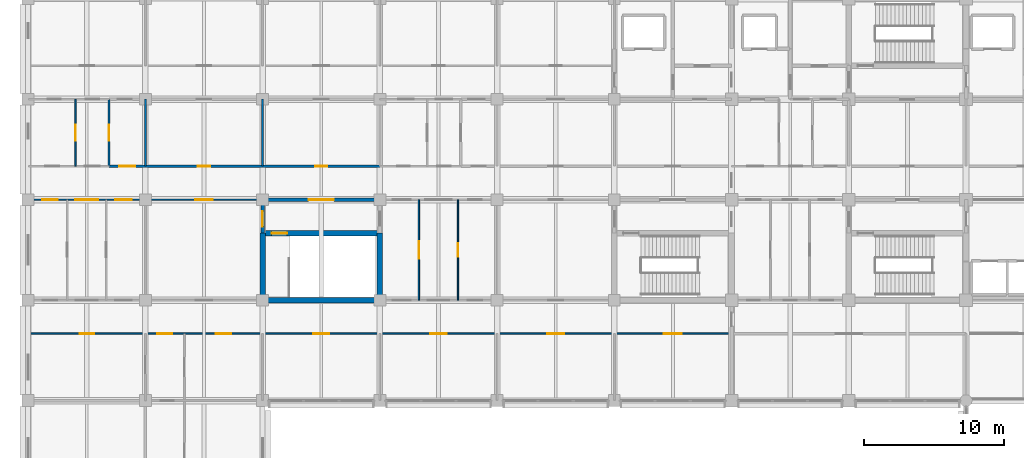
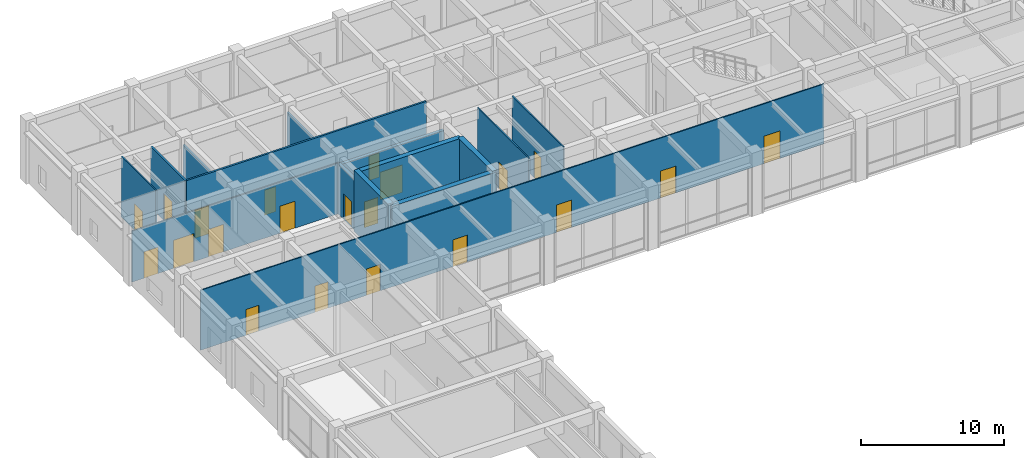
# One storey, part 33 of 58: 21 doors, 15 walls, 21 openings.
"""IFC4 building model written with IfcOpenShell, lengths in metres."""

from ifc_helpers import new_model, si_unit, direction, frame, frame_2d, origin, place, context, subcontext, project, spatial, rectangle, extrude, material, layer, layer_set, type_object, element, fill, save


model = new_model("IFC4")

# Units and contexts
model_context = context("Model", 3, precision=1e-05, world=origin(), true_north=direction((0.0, 1.0)))
body_context = subcontext(model_context, "Body", "Model", "MODEL_VIEW")
ifc_project = project(units=[si_unit("LENGTHUNIT", "METRE"), si_unit("AREAUNIT", "SQUARE_METRE"), si_unit("VOLUMEUNIT", "CUBIC_METRE"), si_unit("PLANEANGLEUNIT", "RADIAN"), si_unit("MASSUNIT", "GRAM", prefix="KILO")], contexts=[model_context])

# Site, building, storey
site_placement = place(None, origin())
site = spatial("IfcSite", under=ifc_project, at=site_placement, CompositionType="ELEMENT")
building_placement = place(site_placement, origin())
building = spatial("IfcBuilding", under=site, at=building_placement, Name="Chengyuan Square Courthouse", CompositionType="ELEMENT")
storey_placement = place(building_placement, frame((0.0, 0.0, 16.199951171875)))
storey = spatial("IfcBuildingStorey", under=building, at=storey_placement, Name="L04", CompositionType="ELEMENT", Elevation=16.199951171875)

# Wall, opening, door
ifc_material_1 = material(Name="Concrete C40", Category="concrete")
ifc_layer_1 = layer(ifc_material_1, 0.25)
ifc_layer_set_1 = layer_set([ifc_layer_1], Name="Concrete C40")
wall_type_1 = type_object("IfcWallType", Name="WL-FW1", PredefinedType="STANDARD", material=ifc_layer_set_1)
wall_1_placement = place(storey_placement, frame((16.800048828125, 93.60009765625, 0.0), z_axis=(0.0, 0.0, 1.0), x_axis=(1.0, 0.0, 0.0)))
wall_1 = element("IfcWall", 1, at=wall_1_placement, inside=storey, type_object=wall_type_1, Name="Interior Wall WL-L04-I1810", PredefinedType="STANDARD", context=body_context, shape_type="SweptSolid", body=[
    extrude(rectangle(XDim=8.39990234375, YDim=0.25, at=frame_2d((4.199951171875, 0.0))), origin(), (0.0, 0.0, 1.0), 4.199951171875),
])
opening_1_placement = place(wall_1_placement, frame((3.300048828125, 0.0, 0.0)))
opening_1 = element("IfcOpeningElement", 2, at=opening_1_placement, cuts=wall_1, Name="Opening DR-1657", PredefinedType="OPENING", context=body_context, shape_type="SweptSolid", body=[
    extrude(rectangle(XDim=1.800048828125, YDim=2.35009765625, at=frame_2d((0.89990234375, 1.175048828125))), frame((0.0, 0.136962890625, 0.0), z_axis=(0.0, -1.0, 0.0), x_axis=(1.0, 0.0, 0.0)), (0.0, 0.0, 1.0), 0.27392578125),
])
ifc_material_2 = material(Name="Steel Q235B Glazed Fire Door", Category="steel")
door_type_1 = type_object("IfcDoorType", Name="DT-18", OperationType="DOUBLE_DOOR_SINGLE_SWING", PredefinedType="DOOR", material=ifc_material_2)
door_1_placement = place(opening_1_placement, frame((1.800048828125, 0.0, 0.0), z_axis=(0.0, 0.0, 1.0), x_axis=(-1.0, 0.0, 0.0)))
door_1 = element("IfcDoor", 3, at=door_1_placement, inside=storey, type_object=door_type_1, Name="Interior Door DR-1657", OperationType="DOUBLE_DOOR_SINGLE_SWING", OverallHeight=2.35009765625, OverallWidth=1.800048828125, PredefinedType="DOOR", context=body_context, shape_type="SweptSolid", body=[
    extrude(rectangle(XDim=1.800048828125, YDim=2.35009765625, at=frame_2d((0.89990234375, 1.175048828125))), frame((0.0, 0.02490234375, 0.0), z_axis=(0.0, -1.0, 0.0), x_axis=(1.0, 0.0, 0.0)), (0.0, 0.0, 1.0), 0.050048828125),
])
fill(opening_1, door_1)

wall_2_placement = place(storey_placement, frame((16.800048828125, 91.199951171875, 0.0), z_axis=(0.0, 0.0, 1.0), x_axis=(0.0, 1.0, 0.0)))
wall_2 = element("IfcWall", 4, at=wall_2_placement, inside=storey, type_object=wall_type_1, Name="Interior Wall WL-L04-I1929", PredefinedType="STANDARD", context=body_context, shape_type="SweptSolid", body=[
    extrude(rectangle(XDim=2.400146484375, YDim=0.25, at=frame_2d((1.2001953125, 0.0))), origin(), (0.0, 0.0, 1.0), 4.300048828125),
])
opening_2_placement = place(wall_2_placement, frame((0.4775390625, 0.0, 0.0)))
opening_2 = element("IfcOpeningElement", 5, at=opening_2_placement, cuts=wall_2, Name="Opening DR-1658", PredefinedType="OPENING", context=body_context, shape_type="SweptSolid", body=[
    extrude(rectangle(XDim=1.10009765625, YDim=2.199951171875, at=frame_2d((0.550048828125, 1.10009765625))), frame((0.0, 0.136962890625, 0.0), z_axis=(0.0, -1.0, 0.0), x_axis=(1.0, 0.0, 0.0)), (0.0, 0.0, 1.0), 0.27392578125),
])
ifc_material_3 = material(Name="Steel Q235B Fire Door", Category="steel")
door_type_2 = type_object("IfcDoorType", Name="DT-10", OperationType="NOTDEFINED", PredefinedType="DOOR", material=ifc_material_3)
door_2_placement = place(opening_2_placement, origin())
door_2 = element("IfcDoor", 6, at=door_2_placement, inside=storey, type_object=door_type_2, Name="Interior Door DR-1658", OperationType="SINGLE_SWING_LEFT", OverallHeight=2.199951171875, OverallWidth=1.10009765625, PredefinedType="DOOR", context=body_context, shape_type="SweptSolid", body=[
    extrude(rectangle(XDim=1.10009765625, YDim=2.199951171875, at=frame_2d((0.550048828125, 1.10009765625))), frame((0.0, 0.02490234375, 0.0), z_axis=(0.0, -1.0, 0.0), x_axis=(1.0, 0.0, 0.0)), (0.0, 0.0, 1.0), 0.050048828125),
])
fill(opening_2, door_2)

# Wall, openings, doors
ifc_material_4 = material(Name="Deliberation Room Sound-Insulated Partition")
ifc_layer_2 = layer(ifc_material_4, 0.14990234375)
ifc_layer_set_2 = layer_set([ifc_layer_2], Name="Deliberation Room Sound-Insulated Partition")
wall_type_2 = type_object("IfcWallType", Name="WL-PT3", PredefinedType="STANDARD", material=ifc_layer_set_2)
wall_3_placement = place(storey_placement, frame((5.800048828125, 96.0, 0.0), z_axis=(0.0, 0.0, 1.0), x_axis=(1.0, 0.0, 0.0)))
wall_3 = element("IfcWall", 7, at=wall_3_placement, inside=storey, type_object=wall_type_2, Name="Interior Wall WL-L04-I1823", PredefinedType="STANDARD", context=body_context, shape_type="SweptSolid", body=[
    extrude(rectangle(XDim=19.39990234375, YDim=0.14990234375, at=frame_2d((9.699951171875, 0.0))), origin(), (0.0, 0.0, 1.0), 5.199951171875),
])
opening_3_placement = place(wall_3_placement, frame((0.72998046875, 0.0, 0.0)))
opening_3 = element("IfcOpeningElement", 8, at=opening_3_placement, cuts=wall_3, Name="Opening DR-1746", PredefinedType="OPENING", context=body_context, shape_type="SweptSolid", body=[
    extrude(rectangle(XDim=1.139892578125, YDim=2.39990234375, at=frame_2d((0.56982421875, 1.199951171875))), frame((0.0, 0.0869140625, 0.0), z_axis=(0.0, -1.0, 0.0), x_axis=(1.0, 0.0, 0.0)), (0.0, 0.0, 1.0), 0.173828125),
])
opening_4_placement = place(wall_3_placement, frame((6.35009765625, 0.0, 0.0)))
opening_4 = element("IfcOpeningElement", 9, at=opening_4_placement, cuts=wall_3, Name="Opening DR-1747", PredefinedType="OPENING", context=body_context, shape_type="SweptSolid", body=[
    extrude(rectangle(XDim=0.89990234375, YDim=2.14990234375, at=frame_2d((0.449951171875, 1.074951171875))), frame((0.0, 0.0869140625, 0.0), z_axis=(0.0, -1.0, 0.0), x_axis=(1.0, 0.0, 0.0)), (0.0, 0.0, 1.0), 0.173828125),
])
opening_5_placement = place(wall_3_placement, frame((14.77001953125, 0.0, 0.0)))
opening_5 = element("IfcOpeningElement", 10, at=opening_5_placement, cuts=wall_3, Name="Opening DR-1748", PredefinedType="OPENING", context=body_context, shape_type="SweptSolid", body=[
    extrude(rectangle(XDim=0.860107421875, YDim=2.10009765625, at=frame_2d((0.43017578125, 1.050048828125))), frame((0.0, 0.0869140625, 0.0), z_axis=(0.0, -1.0, 0.0), x_axis=(1.0, 0.0, 0.0)), (0.0, 0.0, 1.0), 0.173828125),
])
ifc_material_5 = material(Name="Acoustic Solid-Core Timber Door", Category="wood")
door_type_3 = type_object("IfcDoorType", Name="DT-27", OperationType="NOTDEFINED", PredefinedType="DOOR", material=ifc_material_5)
door_3_placement = place(opening_4_placement, origin())
door_3 = element("IfcDoor", 11, at=door_3_placement, inside=storey, type_object=door_type_3, Name="Interior Door DR-1747", OperationType="SINGLE_SWING_LEFT", OverallHeight=2.14990234375, OverallWidth=0.89990234375, PredefinedType="DOOR", context=body_context, shape_type="SweptSolid", body=[
    extrude(rectangle(XDim=0.89990234375, YDim=2.14990234375, at=frame_2d((0.449951171875, 1.074951171875))), frame((0.0, 0.02490234375, 0.0), z_axis=(0.0, -1.0, 0.0), x_axis=(1.0, 0.0, 0.0)), (0.0, 0.0, 1.0), 0.050048828125),
])
fill(opening_4, door_3)
door_type_4 = type_object("IfcDoorType", Name="DT-28", OperationType="NOTDEFINED", PredefinedType="DOOR", material=ifc_material_5)
door_4_placement = place(opening_5_placement, origin())
door_4 = element("IfcDoor", 12, at=door_4_placement, inside=storey, type_object=door_type_4, Name="Interior Door DR-1748", OperationType="SINGLE_SWING_RIGHT", OverallHeight=2.10009765625, OverallWidth=0.860107421875, PredefinedType="DOOR", context=body_context, shape_type="SweptSolid", body=[
    extrude(rectangle(XDim=0.860107421875, YDim=2.10009765625, at=frame_2d((0.43017578125, 1.050048828125))), frame((0.0, 0.02490234375, 0.0), z_axis=(0.0, -1.0, 0.0), x_axis=(1.0, 0.0, 0.0)), (0.0, 0.0, 1.0), 0.050048828125),
])
fill(opening_5, door_4)
door_type_5 = type_object("IfcDoorType", Name="DT-43", OperationType="NOTDEFINED", PredefinedType="DOOR", material=ifc_material_5)
door_5_placement = place(opening_3_placement, origin())
door_5 = element("IfcDoor", 13, at=door_5_placement, inside=storey, type_object=door_type_5, Name="Interior Door DR-1746", OperationType="SINGLE_SWING_RIGHT", OverallHeight=2.39990234375, OverallWidth=1.139892578125, PredefinedType="DOOR", context=body_context, shape_type="SweptSolid", body=[
    extrude(rectangle(XDim=1.139892578125, YDim=2.39990234375, at=frame_2d((0.56982421875, 1.199951171875))), frame((0.0, 0.02490234375, 0.0), z_axis=(0.0, -1.0, 0.0), x_axis=(1.0, 0.0, 0.0)), (0.0, 0.0, 1.0), 0.050048828125),
])
fill(opening_3, door_5)

# Wall, opening, door
wall_4_placement = place(storey_placement, frame((5.800048828125, 96.0, 0.0), z_axis=(0.0, 0.0, 1.0), x_axis=(0.0, 1.0, 0.0)))
wall_4 = element("IfcWall", 14, at=wall_4_placement, inside=storey, type_object=wall_type_2, Name="Interior Wall WL-L04-I1914", PredefinedType="STANDARD", context=body_context, shape_type="SweptSolid", body=[
    extrude(rectangle(XDim=4.800048828125, YDim=0.14990234375, at=frame_2d((2.39990234375, 0.0))), origin(), (0.0, 0.0, 1.0), 5.199951171875),
])
opening_6_placement = place(wall_4_placement, frame((1.820068359375, 0.0, 0.0)))
opening_6 = element("IfcOpeningElement", 15, at=opening_6_placement, cuts=wall_4, Name="Opening DR-1806", PredefinedType="OPENING", context=body_context, shape_type="SweptSolid", body=[
    extrude(rectangle(XDim=1.159912109375, YDim=2.300048828125, at=frame_2d((0.580078125, 1.14990234375))), frame((0.0, 0.0869140625, 0.0), z_axis=(0.0, -1.0, 0.0), x_axis=(1.0, 0.0, 0.0)), (0.0, 0.0, 1.0), 0.173828125),
])
door_type_6 = type_object("IfcDoorType", Name="DT-35", OperationType="NOTDEFINED", PredefinedType="DOOR", material=ifc_material_5)
door_6_placement = place(opening_6_placement, origin())
door_6 = element("IfcDoor", 16, at=door_6_placement, inside=storey, type_object=door_type_6, Name="Interior Door DR-1806", OperationType="SINGLE_SWING_LEFT", OverallHeight=2.300048828125, OverallWidth=1.159912109375, PredefinedType="DOOR", context=body_context, shape_type="SweptSolid", body=[
    extrude(rectangle(XDim=1.159912109375, YDim=2.300048828125, at=frame_2d((0.580078125, 1.14990234375))), frame((0.0, 0.02490234375, 0.0), z_axis=(0.0, -1.0, 0.0), x_axis=(1.0, 0.0, 0.0)), (0.0, 0.0, 1.0), 0.050048828125),
])
fill(opening_6, door_6)

# Walls
wall_5_placement = place(storey_placement, frame((8.39990234375, 96.0, 0.0), z_axis=(0.0, 0.0, 1.0), x_axis=(0.0, 1.0, 0.0)))
element("IfcWall", 17, at=wall_5_placement, inside=storey, type_object=wall_type_2, Name="Interior Wall WL-L04-I1921", PredefinedType="STANDARD", context=body_context, shape_type="SweptSolid", body=[
    extrude(rectangle(XDim=4.800048828125, YDim=0.14990234375, at=frame_2d((2.39990234375, 0.0))), origin(), (0.0, 0.0, 1.0), 4.449951171875),
])
wall_6_placement = place(storey_placement, frame((16.800048828125, 96.0, 0.0), z_axis=(0.0, 0.0, 1.0), x_axis=(0.0, 1.0, 0.0)))
element("IfcWall", 18, at=wall_6_placement, inside=storey, type_object=wall_type_2, Name="Interior Wall WL-L04-I1930", PredefinedType="STANDARD", context=body_context, shape_type="SweptSolid", body=[
    extrude(rectangle(XDim=4.800048828125, YDim=0.14990234375, at=frame_2d((2.39990234375, 0.0))), origin(), (0.0, 0.0, 1.0), 4.300048828125),
])

# Wall, openings, doors
ifc_material_6 = material(Name="Gypsum Plasterboard Acoustic Stud Partition")
ifc_layer_3 = layer(ifc_material_6, 0.10009765625)
ifc_layer_set_3 = layer_set([ifc_layer_3], Name="Gypsum Plasterboard Acoustic Stud Partition")
wall_type_3 = type_object("IfcWallType", Name="WL-PT6", PredefinedType="STANDARD", material=ifc_layer_set_3)
wall_7_placement = place(storey_placement, frame((0.0400390625, 84.0, 0.0), z_axis=(0.0, 0.0, 1.0), x_axis=(1.0, 0.0, 0.0)))
wall_7 = element("IfcWall", 19, at=wall_7_placement, inside=storey, type_object=wall_type_3, Name="Interior Wall WL-L04-I1773", PredefinedType="STANDARD", context=body_context, shape_type="SweptSolid", body=[
    extrude(rectangle(XDim=50.35986328125, YDim=0.10009765625, at=frame_2d((25.179931640625, 0.0))), origin(), (0.0, 0.0, 1.0), 5.1201171875),
])
opening_7_placement = place(wall_7_placement, frame((3.659912109375, 0.0, 0.0)))
opening_7 = element("IfcOpeningElement", 20, at=opening_7_placement, cuts=wall_7, Name="Opening DR-1871", PredefinedType="OPENING", context=body_context, shape_type="SweptSolid", body=[
    extrude(rectangle(XDim=1.0400390625, YDim=2.199951171875, at=frame_2d((0.52001953125, 1.10009765625))), frame((0.0, 0.06201171875, 0.0), z_axis=(0.0, -1.0, 0.0), x_axis=(1.0, 0.0, 0.0)), (0.0, 0.0, 1.0), 0.1240234375),
])
opening_8_placement = place(wall_7_placement, frame((9.219970703125, 0.0, 0.0)))
opening_8 = element("IfcOpeningElement", 21, at=opening_8_placement, cuts=wall_7, Name="Opening DR-1872", PredefinedType="OPENING", context=body_context, shape_type="SweptSolid", body=[
    extrude(rectangle(XDim=1.080078125, YDim=2.25, at=frame_2d((0.5400390625, 1.125))), frame((0.0, 0.06201171875, 0.0), z_axis=(0.0, -1.0, 0.0), x_axis=(1.0, 0.0, 0.0)), (0.0, 0.0, 1.0), 0.1240234375),
])
opening_9_placement = place(wall_7_placement, frame((13.39990234375, 0.0, 0.0)))
opening_9 = element("IfcOpeningElement", 22, at=opening_9_placement, cuts=wall_7, Name="Opening DR-1873", PredefinedType="OPENING", context=body_context, shape_type="SweptSolid", body=[
    extrude(rectangle(XDim=1.1201171875, YDim=2.25, at=frame_2d((0.56005859375, 1.125))), frame((0.0, 0.06201171875, 0.0), z_axis=(0.0, -1.0, 0.0), x_axis=(1.0, 0.0, 0.0)), (0.0, 0.0, 1.0), 0.1240234375),
])
opening_10_placement = place(wall_7_placement, frame((20.3798828125, 0.0, 0.0)))
opening_10 = element("IfcOpeningElement", 23, at=opening_10_placement, cuts=wall_7, Name="Opening DR-1874", PredefinedType="OPENING", context=body_context, shape_type="SweptSolid", body=[
    extrude(rectangle(XDim=1.159912109375, YDim=2.300048828125, at=frame_2d((0.580078125, 1.14990234375))), frame((0.0, 0.06201171875, 0.0), z_axis=(0.0, -1.0, 0.0), x_axis=(1.0, 0.0, 0.0)), (0.0, 0.0, 1.0), 0.1240234375),
])
opening_11_placement = place(wall_7_placement, frame((28.760009765625, 0.0, 0.0)))
opening_11 = element("IfcOpeningElement", 24, at=opening_11_placement, cuts=wall_7, Name="Opening DR-1875", PredefinedType="OPENING", context=body_context, shape_type="SweptSolid", body=[
    extrude(rectangle(XDim=1.199951171875, YDim=2.35009765625, at=frame_2d((0.60009765625, 1.175048828125))), frame((0.0, 0.06201171875, 0.0), z_axis=(0.0, -1.0, 0.0), x_axis=(1.0, 0.0, 0.0)), (0.0, 0.0, 1.0), 0.1240234375),
])
opening_12_placement = place(wall_7_placement, frame((37.139892578125, 0.0, 0.0)))
opening_12 = element("IfcOpeningElement", 25, at=opening_12_placement, cuts=wall_7, Name="Opening DR-1876", PredefinedType="OPENING", context=body_context, shape_type="SweptSolid", body=[
    extrude(rectangle(XDim=1.239990234375, YDim=2.300048828125, at=frame_2d((0.6201171875, 1.14990234375))), frame((0.0, 0.06201171875, 0.0), z_axis=(0.0, -1.0, 0.0), x_axis=(1.0, 0.0, 0.0)), (0.0, 0.0, 1.0), 0.1240234375),
])
opening_13_placement = place(wall_7_placement, frame((45.52001953125, 0.0, 0.0)))
opening_13 = element("IfcOpeningElement", 26, at=opening_13_placement, cuts=wall_7, Name="Opening DR-1877", PredefinedType="OPENING", context=body_context, shape_type="SweptSolid", body=[
    extrude(rectangle(XDim=1.280029296875, YDim=2.35009765625, at=frame_2d((0.64013671875, 1.175048828125))), frame((0.0, 0.06201171875, 0.0), z_axis=(0.0, -1.0, 0.0), x_axis=(1.0, 0.0, 0.0)), (0.0, 0.0, 1.0), 0.1240234375),
])
door_type_7 = type_object("IfcDoorType", Name="DT-32", OperationType="NOTDEFINED", PredefinedType="DOOR", material=ifc_material_5)
door_7_placement = place(opening_7_placement, origin())
door_7 = element("IfcDoor", 27, at=door_7_placement, inside=storey, type_object=door_type_7, Name="Interior Door DR-1871", OperationType="SINGLE_SWING_RIGHT", OverallHeight=2.199951171875, OverallWidth=1.0400390625, PredefinedType="DOOR", context=body_context, shape_type="SweptSolid", body=[
    extrude(rectangle(XDim=1.0400390625, YDim=2.199951171875, at=frame_2d((0.52001953125, 1.10009765625))), frame((0.0, 0.02490234375, 0.0), z_axis=(0.0, -1.0, 0.0), x_axis=(1.0, 0.0, 0.0)), (0.0, 0.0, 1.0), 0.050048828125),
])
fill(opening_7, door_7)
door_type_8 = type_object("IfcDoorType", Name="DT-33", OperationType="NOTDEFINED", PredefinedType="DOOR", material=ifc_material_5)
door_8_placement = place(opening_8_placement, origin())
door_8 = element("IfcDoor", 28, at=door_8_placement, inside=storey, type_object=door_type_8, Name="Interior Door DR-1872", OperationType="SINGLE_SWING_LEFT", OverallHeight=2.25, OverallWidth=1.080078125, PredefinedType="DOOR", context=body_context, shape_type="SweptSolid", body=[
    extrude(rectangle(XDim=1.080078125, YDim=2.25, at=frame_2d((0.5400390625, 1.125))), frame((0.0, 0.02490234375, 0.0), z_axis=(0.0, -1.0, 0.0), x_axis=(1.0, 0.0, 0.0)), (0.0, 0.0, 1.0), 0.050048828125),
])
fill(opening_8, door_8)
door_type_9 = type_object("IfcDoorType", Name="DT-34", OperationType="NOTDEFINED", PredefinedType="DOOR", material=ifc_material_5)
door_9_placement = place(opening_9_placement, origin())
door_9 = element("IfcDoor", 29, at=door_9_placement, inside=storey, type_object=door_type_9, Name="Interior Door DR-1873", OperationType="SINGLE_SWING_RIGHT", OverallHeight=2.25, OverallWidth=1.1201171875, PredefinedType="DOOR", context=body_context, shape_type="SweptSolid", body=[
    extrude(rectangle(XDim=1.1201171875, YDim=2.25, at=frame_2d((0.56005859375, 1.125))), frame((0.0, 0.02490234375, 0.0), z_axis=(0.0, -1.0, 0.0), x_axis=(1.0, 0.0, 0.0)), (0.0, 0.0, 1.0), 0.050048828125),
])
fill(opening_9, door_9)
door_10_placement = place(opening_10_placement, origin())
door_10 = element("IfcDoor", 30, at=door_10_placement, inside=storey, type_object=door_type_6, Name="Interior Door DR-1874", OperationType="SINGLE_SWING_LEFT", OverallHeight=2.300048828125, OverallWidth=1.159912109375, PredefinedType="DOOR", context=body_context, shape_type="SweptSolid", body=[
    extrude(rectangle(XDim=1.159912109375, YDim=2.300048828125, at=frame_2d((0.580078125, 1.14990234375))), frame((0.0, 0.02490234375, 0.0), z_axis=(0.0, -1.0, 0.0), x_axis=(1.0, 0.0, 0.0)), (0.0, 0.0, 1.0), 0.050048828125),
])
fill(opening_10, door_10)
door_type_10 = type_object("IfcDoorType", Name="DT-36", OperationType="NOTDEFINED", PredefinedType="DOOR", material=ifc_material_5)
door_11_placement = place(opening_11_placement, origin())
door_11 = element("IfcDoor", 31, at=door_11_placement, inside=storey, type_object=door_type_10, Name="Interior Door DR-1875", OperationType="SINGLE_SWING_RIGHT", OverallHeight=2.35009765625, OverallWidth=1.199951171875, PredefinedType="DOOR", context=body_context, shape_type="SweptSolid", body=[
    extrude(rectangle(XDim=1.199951171875, YDim=2.35009765625, at=frame_2d((0.60009765625, 1.175048828125))), frame((0.0, 0.02490234375, 0.0), z_axis=(0.0, -1.0, 0.0), x_axis=(1.0, 0.0, 0.0)), (0.0, 0.0, 1.0), 0.050048828125),
])
fill(opening_11, door_11)
door_type_11 = type_object("IfcDoorType", Name="DT-37", OperationType="NOTDEFINED", PredefinedType="DOOR", material=ifc_material_5)
door_12_placement = place(opening_12_placement, origin())
door_12 = element("IfcDoor", 32, at=door_12_placement, inside=storey, type_object=door_type_11, Name="Interior Door DR-1876", OperationType="SINGLE_SWING_LEFT", OverallHeight=2.300048828125, OverallWidth=1.239990234375, PredefinedType="DOOR", context=body_context, shape_type="SweptSolid", body=[
    extrude(rectangle(XDim=1.239990234375, YDim=2.300048828125, at=frame_2d((0.6201171875, 1.14990234375))), frame((0.0, 0.02490234375, 0.0), z_axis=(0.0, -1.0, 0.0), x_axis=(1.0, 0.0, 0.0)), (0.0, 0.0, 1.0), 0.050048828125),
])
fill(opening_12, door_12)
door_type_12 = type_object("IfcDoorType", Name="DT-38", OperationType="NOTDEFINED", PredefinedType="DOOR", material=ifc_material_5)
door_13_placement = place(opening_13_placement, origin())
door_13 = element("IfcDoor", 33, at=door_13_placement, inside=storey, type_object=door_type_12, Name="Interior Door DR-1877", OperationType="SINGLE_SWING_RIGHT", OverallHeight=2.35009765625, OverallWidth=1.280029296875, PredefinedType="DOOR", context=body_context, shape_type="SweptSolid", body=[
    extrude(rectangle(XDim=1.280029296875, YDim=2.35009765625, at=frame_2d((0.64013671875, 1.175048828125))), frame((0.0, 0.02490234375, 0.0), z_axis=(0.0, -1.0, 0.0), x_axis=(1.0, 0.0, 0.0)), (0.0, 0.0, 1.0), 0.050048828125),
])
fill(opening_13, door_13)

wall_8_placement = place(storey_placement, frame((0.0400390625, 93.60009765625, 0.0), z_axis=(0.0, 0.0, 1.0), x_axis=(1.0, 0.0, 0.0)))
wall_8 = element("IfcWall", 34, at=wall_8_placement, inside=storey, type_object=wall_type_3, Name="Interior Wall WL-L04-I1809", PredefinedType="STANDARD", context=body_context, shape_type="SweptSolid", body=[
    extrude(rectangle(XDim=16.760009765625, YDim=0.10009765625, at=frame_2d((8.3798828125, 0.0))), origin(), (0.0, 0.0, 1.0), 4.35009765625),
])
opening_14_placement = place(wall_8_placement, frame((0.972412109375, 0.0, 0.0)))
opening_14 = element("IfcOpeningElement", 35, at=opening_14_placement, cuts=wall_8, Name="Opening DR-1754", PredefinedType="OPENING", context=body_context, shape_type="SweptSolid", body=[
    extrude(rectangle(XDim=1.1201171875, YDim=2.25, at=frame_2d((0.56005859375, 1.125))), frame((0.0, 0.06201171875, 0.0), z_axis=(0.0, -1.0, 0.0), x_axis=(1.0, 0.0, 0.0)), (0.0, 0.0, 1.0), 0.1240234375),
])
opening_15_placement = place(wall_8_placement, frame((3.3349609375, 0.0, 0.0)))
opening_15 = element("IfcOpeningElement", 36, at=opening_15_placement, cuts=wall_8, Name="Opening DR-1755", PredefinedType="OPENING", context=body_context, shape_type="SweptSolid", body=[
    extrude(rectangle(XDim=1.64990234375, YDim=2.39990234375, at=frame_2d((0.824951171875, 1.199951171875))), frame((0.0, 0.06201171875, 0.0), z_axis=(0.0, -1.0, 0.0), x_axis=(1.0, 0.0, 0.0)), (0.0, 0.0, 1.0), 0.1240234375),
])
opening_16_placement = place(wall_8_placement, frame((6.1875, 0.0, 0.0)))
opening_16 = element("IfcOpeningElement", 37, at=opening_16_placement, cuts=wall_8, Name="Opening DR-1756", PredefinedType="OPENING", context=body_context, shape_type="SweptSolid", body=[
    extrude(rectangle(XDim=1.199951171875, YDim=2.35009765625, at=frame_2d((0.60009765625, 1.175048828125))), frame((0.0, 0.06201171875, 0.0), z_axis=(0.0, -1.0, 0.0), x_axis=(1.0, 0.0, 0.0)), (0.0, 0.0, 1.0), 0.1240234375),
])
opening_17_placement = place(wall_8_placement, frame((11.93994140625, 0.0, 0.0)))
opening_17 = element("IfcOpeningElement", 38, at=opening_17_placement, cuts=wall_8, Name="Opening DR-1757", PredefinedType="OPENING", context=body_context, shape_type="SweptSolid", body=[
    extrude(rectangle(XDim=1.239990234375, YDim=2.300048828125, at=frame_2d((0.6201171875, 1.14990234375))), frame((0.0, 0.06201171875, 0.0), z_axis=(0.0, -1.0, 0.0), x_axis=(1.0, 0.0, 0.0)), (0.0, 0.0, 1.0), 0.1240234375),
])
ifc_material_7 = material(Name="Acoustic Larch Veneer Double Door")
door_type_13 = type_object("IfcDoorType", Name="DT-22", OperationType="DOUBLE_DOOR_SINGLE_SWING", PredefinedType="DOOR", material=ifc_material_7)
door_14_placement = place(opening_15_placement, frame((1.64990234375, 0.0, 0.0), z_axis=(0.0, 0.0, 1.0), x_axis=(-1.0, 0.0, 0.0)))
door_14 = element("IfcDoor", 39, at=door_14_placement, inside=storey, type_object=door_type_13, Name="Interior Door DR-1755", OperationType="DOUBLE_DOOR_SINGLE_SWING", OverallHeight=2.39990234375, OverallWidth=1.64990234375, PredefinedType="DOOR", context=body_context, shape_type="SweptSolid", body=[
    extrude(rectangle(XDim=1.64990234375, YDim=2.39990234375, at=frame_2d((0.824951171875, 1.199951171875))), frame((0.0, 0.02490234375, 0.0), z_axis=(0.0, -1.0, 0.0), x_axis=(1.0, 0.0, 0.0)), (0.0, 0.0, 1.0), 0.050048828125),
])
fill(opening_15, door_14)
door_15_placement = place(opening_14_placement, origin())
door_15 = element("IfcDoor", 40, at=door_15_placement, inside=storey, type_object=door_type_9, Name="Interior Door DR-1754", OperationType="SINGLE_SWING_RIGHT", OverallHeight=2.25, OverallWidth=1.1201171875, PredefinedType="DOOR", context=body_context, shape_type="SweptSolid", body=[
    extrude(rectangle(XDim=1.1201171875, YDim=2.25, at=frame_2d((0.56005859375, 1.125))), frame((0.0, 0.02490234375, 0.0), z_axis=(0.0, -1.0, 0.0), x_axis=(1.0, 0.0, 0.0)), (0.0, 0.0, 1.0), 0.050048828125),
])
fill(opening_14, door_15)
door_16_placement = place(opening_16_placement, origin())
door_16 = element("IfcDoor", 41, at=door_16_placement, inside=storey, type_object=door_type_10, Name="Interior Door DR-1756", OperationType="SINGLE_SWING_LEFT", OverallHeight=2.35009765625, OverallWidth=1.199951171875, PredefinedType="DOOR", context=body_context, shape_type="SweptSolid", body=[
    extrude(rectangle(XDim=1.199951171875, YDim=2.35009765625, at=frame_2d((0.60009765625, 1.175048828125))), frame((0.0, 0.02490234375, 0.0), z_axis=(0.0, -1.0, 0.0), x_axis=(1.0, 0.0, 0.0)), (0.0, 0.0, 1.0), 0.050048828125),
])
fill(opening_16, door_16)
door_17_placement = place(opening_17_placement, origin())
door_17 = element("IfcDoor", 42, at=door_17_placement, inside=storey, type_object=door_type_11, Name="Interior Door DR-1757", OperationType="SINGLE_SWING_RIGHT", OverallHeight=2.300048828125, OverallWidth=1.239990234375, PredefinedType="DOOR", context=body_context, shape_type="SweptSolid", body=[
    extrude(rectangle(XDim=1.239990234375, YDim=2.300048828125, at=frame_2d((0.6201171875, 1.14990234375))), frame((0.0, 0.02490234375, 0.0), z_axis=(0.0, -1.0, 0.0), x_axis=(1.0, 0.0, 0.0)), (0.0, 0.0, 1.0), 0.050048828125),
])
fill(opening_17, door_17)

# Wall, opening, door
wall_9_placement = place(storey_placement, frame((3.39990234375, 96.0, 0.0), z_axis=(0.0, 0.0, 1.0), x_axis=(0.0, 1.0, 0.0)))
wall_9 = element("IfcWall", 43, at=wall_9_placement, inside=storey, type_object=wall_type_3, Name="Interior Wall WL-L04-I1912", PredefinedType="STANDARD", context=body_context, shape_type="SweptSolid", body=[
    extrude(rectangle(XDim=4.800048828125, YDim=0.10009765625, at=frame_2d((2.39990234375, 0.0))), origin(), (0.0, 0.0, 1.0), 5.199951171875),
])
opening_18_placement = place(wall_9_placement, frame((1.840087890625, 0.0, 0.0)))
opening_18 = element("IfcOpeningElement", 44, at=opening_18_placement, cuts=wall_9, Name="Opening DR-1805", PredefinedType="OPENING", context=body_context, shape_type="SweptSolid", body=[
    extrude(rectangle(XDim=1.1201171875, YDim=2.25, at=frame_2d((0.56005859375, 1.125))), frame((0.0, 0.06201171875, 0.0), z_axis=(0.0, -1.0, 0.0), x_axis=(1.0, 0.0, 0.0)), (0.0, 0.0, 1.0), 0.1240234375),
])
door_18_placement = place(opening_18_placement, origin())
door_18 = element("IfcDoor", 45, at=door_18_placement, inside=storey, type_object=door_type_9, Name="Interior Door DR-1805", OperationType="SINGLE_SWING_RIGHT", OverallHeight=2.25, OverallWidth=1.1201171875, PredefinedType="DOOR", context=body_context, shape_type="SweptSolid", body=[
    extrude(rectangle(XDim=1.1201171875, YDim=2.25, at=frame_2d((0.56005859375, 1.125))), frame((0.0, 0.02490234375, 0.0), z_axis=(0.0, -1.0, 0.0), x_axis=(1.0, 0.0, 0.0)), (0.0, 0.0, 1.0), 0.050048828125),
])
fill(opening_18, door_18)

wall_10_placement = place(storey_placement, frame((28.0, 86.39990234375, 0.0), z_axis=(0.0, 0.0, 1.0), x_axis=(0.0, 1.0, 0.0)))
wall_10 = element("IfcWall", 46, at=wall_10_placement, inside=storey, type_object=wall_type_3, Name="Interior Wall WL-L04-I1937", PredefinedType="STANDARD", context=body_context, shape_type="SweptSolid", body=[
    extrude(rectangle(XDim=7.2001953125, YDim=0.10009765625, at=frame_2d((3.60009765625, 0.0))), origin(), (0.0, 0.0, 1.0), 5.1201171875),
])
opening_19_placement = place(wall_10_placement, frame((2.97998046875, 0.0, 0.0)))
opening_19 = element("IfcOpeningElement", 47, at=opening_19_placement, cuts=wall_10, Name="Opening DR-1825", PredefinedType="OPENING", context=body_context, shape_type="SweptSolid", body=[
    extrude(rectangle(XDim=1.239990234375, YDim=2.300048828125, at=frame_2d((0.6201171875, 1.14990234375))), frame((0.0, 0.06201171875, 0.0), z_axis=(0.0, -1.0, 0.0), x_axis=(1.0, 0.0, 0.0)), (0.0, 0.0, 1.0), 0.1240234375),
])
door_19_placement = place(opening_19_placement, origin())
door_19 = element("IfcDoor", 48, at=door_19_placement, inside=storey, type_object=door_type_11, Name="Interior Door DR-1825", OperationType="SINGLE_SWING_LEFT", OverallHeight=2.300048828125, OverallWidth=1.239990234375, PredefinedType="DOOR", context=body_context, shape_type="SweptSolid", body=[
    extrude(rectangle(XDim=1.239990234375, YDim=2.300048828125, at=frame_2d((0.6201171875, 1.14990234375))), frame((0.0, 0.02490234375, 0.0), z_axis=(0.0, -1.0, 0.0), x_axis=(1.0, 0.0, 0.0)), (0.0, 0.0, 1.0), 0.050048828125),
])
fill(opening_19, door_19)

wall_11_placement = place(storey_placement, frame((30.800048828125, 86.39990234375, 0.0), z_axis=(0.0, 0.0, 1.0), x_axis=(0.0, 1.0, 0.0)))
wall_11 = element("IfcWall", 49, at=wall_11_placement, inside=storey, type_object=wall_type_3, Name="Interior Wall WL-L04-I1939", PredefinedType="STANDARD", context=body_context, shape_type="SweptSolid", body=[
    extrude(rectangle(XDim=7.2001953125, YDim=0.10009765625, at=frame_2d((3.60009765625, 0.0))), origin(), (0.0, 0.0, 1.0), 5.1201171875),
])
opening_20_placement = place(wall_11_placement, frame((3.1298828125, 0.0, 0.0)))
opening_20 = element("IfcOpeningElement", 50, at=opening_20_placement, cuts=wall_11, Name="Opening DR-1827", PredefinedType="OPENING", context=body_context, shape_type="SweptSolid", body=[
    extrude(rectangle(XDim=0.93994140625, YDim=2.300048828125, at=frame_2d((0.469970703125, 1.14990234375))), frame((0.0, 0.06201171875, 0.0), z_axis=(0.0, -1.0, 0.0), x_axis=(1.0, 0.0, 0.0)), (0.0, 0.0, 1.0), 0.1240234375),
])
door_type_14 = type_object("IfcDoorType", Name="DT-39", OperationType="NOTDEFINED", PredefinedType="DOOR", material=ifc_material_5)
door_20_placement = place(opening_20_placement, origin())
door_20 = element("IfcDoor", 51, at=door_20_placement, inside=storey, type_object=door_type_14, Name="Interior Door DR-1827", OperationType="SINGLE_SWING_LEFT", OverallHeight=2.300048828125, OverallWidth=0.93994140625, PredefinedType="DOOR", context=body_context, shape_type="SweptSolid", body=[
    extrude(rectangle(XDim=0.93994140625, YDim=2.300048828125, at=frame_2d((0.469970703125, 1.14990234375))), frame((0.0, 0.02490234375, 0.0), z_axis=(0.0, -1.0, 0.0), x_axis=(1.0, 0.0, 0.0)), (0.0, 0.0, 1.0), 0.050048828125),
])
fill(opening_20, door_20)

# Wall
ifc_material_8 = material(Name="Concrete C50", Category="concrete")
ifc_layer_4 = layer(ifc_material_8, 0.39990234375)
ifc_layer_set_4 = layer_set([ifc_layer_4], Name="Concrete C50")
wall_type_4 = type_object("IfcWallType", Name="WL-SW1", PredefinedType="SHEAR", material=ifc_layer_set_4)
wall_12_placement = place(storey_placement, frame((16.800048828125, 86.39990234375, 0.0), z_axis=(0.0, 0.0, 1.0), x_axis=(1.0, 0.0, 0.0)))
element("IfcWall", 52, at=wall_12_placement, inside=storey, type_object=wall_type_4, Name="Interior Wall WL-L04-I1779", PredefinedType="SHEAR", context=body_context, shape_type="SweptSolid", body=[
    extrude(rectangle(XDim=8.39990234375, YDim=0.39990234375, at=frame_2d((4.199951171875, 0.0))), origin(), (0.0, 0.0, 1.0), 5.050048828125),
])

# Wall, opening, door
wall_13_placement = place(storey_placement, frame((16.800048828125, 91.199951171875, 0.0), z_axis=(0.0, 0.0, 1.0), x_axis=(1.0, 0.0, 0.0)))
wall_13 = element("IfcWall", 53, at=wall_13_placement, inside=storey, type_object=wall_type_4, Name="Interior Wall WL-L04-I1802", PredefinedType="SHEAR", context=body_context, shape_type="SweptSolid", body=[
    extrude(rectangle(XDim=8.39990234375, YDim=0.39990234375, at=frame_2d((4.199951171875, 0.0))), origin(), (0.0, 0.0, 1.0), 5.050048828125),
])
opening_21_placement = place(wall_13_placement, frame((0.64990234375, 0.0, 0.0)))
opening_21 = element("IfcOpeningElement", 54, at=opening_21_placement, cuts=wall_13, Name="Opening DR-1631", PredefinedType="OPENING", context=body_context, shape_type="SweptSolid", body=[
    extrude(rectangle(XDim=1.10009765625, YDim=2.199951171875, at=frame_2d((0.550048828125, 1.10009765625))), frame((0.0, 0.2119140625, 0.0), z_axis=(0.0, -1.0, 0.0), x_axis=(1.0, 0.0, 0.0)), (0.0, 0.0, 1.0), 0.423828125),
])
door_21_placement = place(opening_21_placement, frame((1.10009765625, 0.0, 0.0), z_axis=(0.0, 0.0, 1.0), x_axis=(-1.0, 0.0, 0.0)))
door_21 = element("IfcDoor", 55, at=door_21_placement, inside=storey, type_object=door_type_2, Name="Smoke-Proof Stairwell Fire Door ST-9 DR-1631", OperationType="SINGLE_SWING_LEFT", OverallHeight=2.199951171875, OverallWidth=1.10009765625, PredefinedType="DOOR", context=body_context, shape_type="SweptSolid", body=[
    extrude(rectangle(XDim=1.10009765625, YDim=2.199951171875, at=frame_2d((0.550048828125, 1.10009765625))), frame((0.0, 0.02490234375, 0.0), z_axis=(0.0, -1.0, 0.0), x_axis=(1.0, 0.0, 0.0)), (0.0, 0.0, 1.0), 0.050048828125),
])
fill(opening_21, door_21)

# Walls
wall_14_placement = place(storey_placement, frame((16.800048828125, 86.39990234375, 0.0), z_axis=(0.0, 0.0, 1.0), x_axis=(0.0, 1.0, 0.0)))
element("IfcWall", 56, at=wall_14_placement, inside=storey, type_object=wall_type_4, Name="Interior Wall WL-L04-I1928", PredefinedType="SHEAR", context=body_context, shape_type="SweptSolid", body=[
    extrude(rectangle(XDim=4.800048828125, YDim=0.39990234375, at=frame_2d((2.39990234375, 0.0))), origin(), (0.0, 0.0, 1.0), 5.199951171875),
])
wall_15_placement = place(storey_placement, frame((25.199951171875, 86.39990234375, 0.0), z_axis=(0.0, 0.0, 1.0), x_axis=(0.0, 1.0, 0.0)))
element("IfcWall", 57, at=wall_15_placement, inside=storey, type_object=wall_type_4, Name="Interior Wall WL-L04-I1933", PredefinedType="SHEAR", context=body_context, shape_type="SweptSolid", body=[
    extrude(rectangle(XDim=4.800048828125, YDim=0.39990234375, at=frame_2d((2.39990234375, 0.0))), origin(), (0.0, 0.0, 1.0), 5.050048828125),
])

save(model, "model.ifc")
